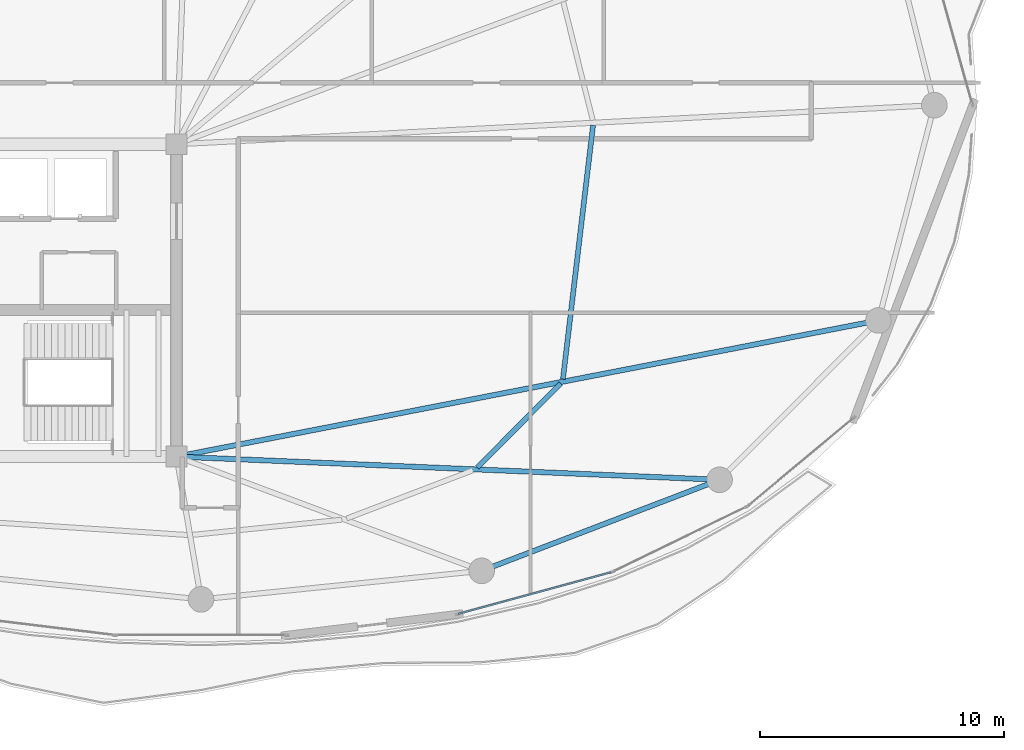
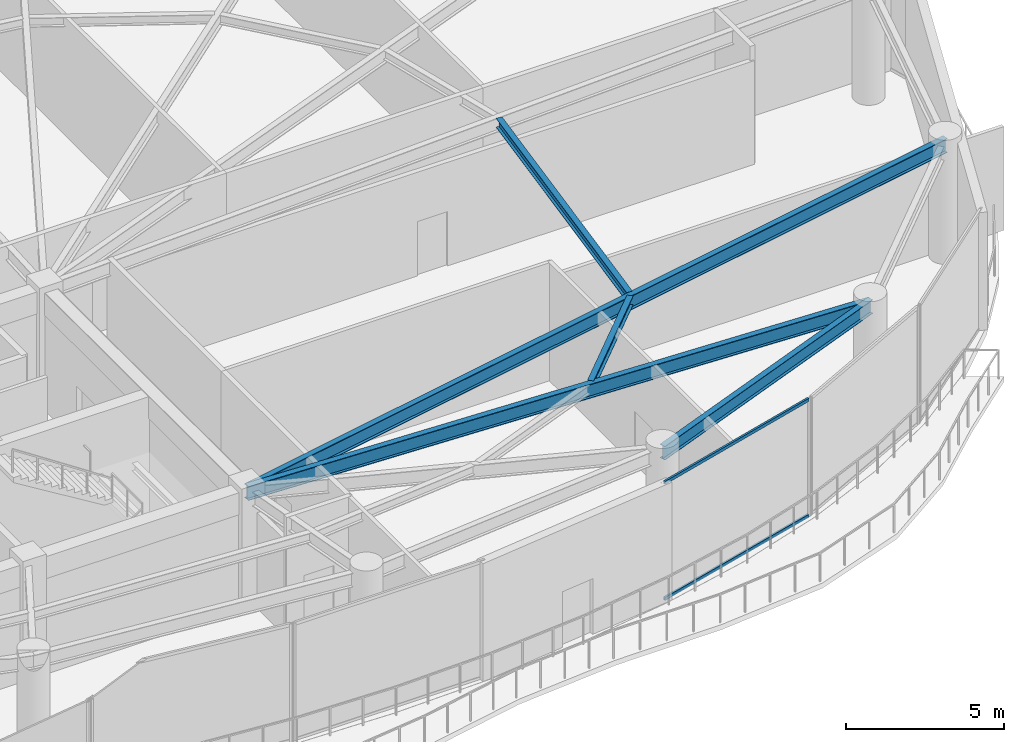
# One storey, part 11 of 28: 5 beams, 2 members, 1 element without a shape of its own.
"""IFC4 building model written with IfcOpenShell, lengths in metres."""

from ifc_helpers import new_model, si_unit, direction, frame, origin, origin_2d, place, context, subcontext, project, spatial, hollow_rectangle, i_section, extrude, material, layer, layer_set, material_profile, profile_set, type_object, element, aggregate, save


model = new_model("IFC4")

# Units and contexts
model_context = context("Model", 3, precision=1e-05, world=origin(), true_north=direction((0.0, 1.0)))
body_context = subcontext(model_context, "Body", "Model", "MODEL_VIEW")
ifc_project = project(units=[si_unit("LENGTHUNIT", "METRE"), si_unit("AREAUNIT", "SQUARE_METRE"), si_unit("VOLUMEUNIT", "CUBIC_METRE"), si_unit("PLANEANGLEUNIT", "RADIAN"), si_unit("MASSUNIT", "GRAM", prefix="KILO")], contexts=[model_context])

# Site, building, storey
site_placement = place(None, origin())
site = spatial("IfcSite", under=ifc_project, at=site_placement, CompositionType="ELEMENT")
building_placement = place(site_placement, origin())
building = spatial("IfcBuilding", under=site, at=building_placement, Name="Kazevale Care Tower and Concert Hall", CompositionType="ELEMENT")
storey_placement = place(building_placement, frame((0.0, 0.0, 190.800048828125)))
storey = spatial("IfcBuildingStorey", under=building, at=storey_placement, Name="L50", CompositionType="ELEMENT", Elevation=190.800048828125)

# Curtain wall, members
ifc_material_1 = material(Name="Aluminium 6063-T6 and Low-E Glass", Category="aluminium")
ifc_layer = layer(ifc_material_1, 0.179931640625)
ifc_layer_set = layer_set([ifc_layer], Name="Aluminium 6063-T6 and Low-E Glass")
curtain_wall_type = type_object("IfcCurtainWallType", Name="Sheltered Concave Balcony Curtain Wall CW-5", PredefinedType="NOTDEFINED", material=ifc_layer_set)
curtain_wall_placement = place(storey_placement, origin())
curtain_wall = element("IfcCurtainWall", 1, at=curtain_wall_placement, inside=storey, type_object=curtain_wall_type, Name="cw:L50:f04", PredefinedType="NOTDEFINED")
ifc_material_2 = material(Name="Aluminium 6063-T6", Category="aluminium")
ifc_material_profile_1 = material_profile(ifc_material_2, hollow_rectangle(XDim=0.074951171875, YDim=0.1201171875, WallThickness=0.00390625, at=origin_2d()), Name="ALU75x120x4")
ifc_profile_set_1 = profile_set([ifc_material_profile_1], Name="Aluminium 6063-T6")
member_type = type_object("IfcMemberType", Name="CW-5 Transom ALU75x120x4", PredefinedType="USERDEFINED", material=ifc_profile_set_1)
member_1_placement = place(storey_placement, frame((61.78369140625, 18.853271484375, 0.037353515625), z_axis=(-0.964843890632, -0.262823641842, 0.0), x_axis=(0.262823641842, -0.964843890632, 0.0)))
member_1 = element("IfcMember", 2, at=member_1_placement, type_object=member_type, Name="CW-5 transom 1.1", ObjectType="TRANSOM", PredefinedType="USERDEFINED", context=body_context, shape_type="SweptSolid", body=[
    extrude(hollow_rectangle(XDim=0.074951171875, YDim=0.1201171875, WallThickness=0.00390625, at=origin_2d()), origin(), (0.0, 0.0, 1.0), 6.469970703125),
])
member_2_placement = place(storey_placement, frame((61.78369140625, 18.853271484375, 4.5224609375), z_axis=(-0.964843890632, -0.262823641842, 0.0), x_axis=(0.262823641842, -0.964843890632, 0.0)))
member_2 = element("IfcMember", 3, at=member_2_placement, type_object=member_type, Name="CW-5 transom 1.2", ObjectType="TRANSOM", PredefinedType="USERDEFINED", context=body_context, shape_type="SweptSolid", body=[
    extrude(hollow_rectangle(XDim=0.074951171875, YDim=0.1201171875, WallThickness=0.00390625, at=origin_2d()), origin(), (0.0, 0.0, 1.0), 6.469970703125),
])
aggregate(curtain_wall, [member_1, member_2])

# Beams
ifc_material_3 = material(Name="Steel ASTM A572 Gr 50", Category="steel")
ifc_material_profile_2 = material_profile(ifc_material_3, i_section(OverallWidth=0.2119140625, OverallDepth=0.5439453125, WebThickness=0.01318359375, FlangeThickness=0.021240234375, at=origin_2d()), Name="W530x123")
ifc_profile_set_2 = profile_set([ifc_material_profile_2], Name="Steel ASTM A572 Gr 50")
beam_type_1 = type_object("IfcBeamType", Name="Radial Floor Girder W530x123", PredefinedType="BEAM", material=ifc_profile_set_2)
beam_1_placement = place(storey_placement, frame((44.0, 23.60009765625, 4.287841796875), z_axis=(0.999089369477, -0.042666518456, 0.0), x_axis=(0.042666518456, 0.999089369477, 0.0)))
element("IfcBeam", 4, at=beam_1_placement, inside=storey, type_object=beam_type_1, Name="beam:L50:rad:15", PredefinedType="BEAM", context=body_context, shape_type="SweptSolid", body=[
    extrude(i_section(OverallWidth=0.2119140625, OverallDepth=0.5439453125, WebThickness=0.01318359375, FlangeThickness=0.021240234375, at=origin_2d()), origin(), (0.0, 0.0, 1.0), 22.270263671875),
])
beam_2_placement = place(storey_placement, frame((44.0, 23.60009765625, 4.287841796875), z_axis=(0.981694544574, 0.190462125247, 0.0), x_axis=(-0.190462125247, 0.981694544574, 0.0)))
element("IfcBeam", 5, at=beam_2_placement, inside=storey, type_object=beam_type_1, Name="beam:L50:rad:16", PredefinedType="BEAM", context=body_context, shape_type="SweptSolid", body=[
    extrude(i_section(OverallWidth=0.2119140625, OverallDepth=0.5439453125, WebThickness=0.01318359375, FlangeThickness=0.021240234375, at=origin_2d()), origin(), (0.0, 0.0, 1.0), 29.29638671875),
])
ifc_material_profile_3 = material_profile(ifc_material_3, i_section(OverallWidth=0.205078125, OverallDepth=0.35400390625, WebThickness=0.009521484375, FlangeThickness=0.016845703125, at=origin_2d()), Name="W360x79")
ifc_profile_set_3 = profile_set([ifc_material_profile_3], Name="Steel ASTM A572 Gr 50")
beam_type_2 = type_object("IfcBeamType", Name="Secondary Floor Joist W360x79", PredefinedType="JOIST", material=ifc_profile_set_3)
beam_3_placement = place(storey_placement, frame((56.31201171875, 23.152099609375, 4.383056640625), z_axis=(0.705975874919, 0.708235881633, 0.0), x_axis=(-0.708235881633, 0.705975874919, 0.0)))
element("IfcBeam", 6, at=beam_3_placement, inside=storey, type_object=beam_type_2, Name="beam:L50:joist:15", PredefinedType="JOIST", context=body_context, shape_type="SweptSolid", body=[
    extrude(i_section(OverallWidth=0.205078125, OverallDepth=0.35400390625, WebThickness=0.009521484375, FlangeThickness=0.016845703125, at=origin_2d()), origin(), (0.0, 0.0, 1.0), 4.861083984375),
])
beam_4_placement = place(storey_placement, frame((59.830078125, 26.77294921875, 4.383056640625), z_axis=(0.117874218468, 0.993028533639, 0.0), x_axis=(-0.993028533639, 0.117874218468, 0.0)))
element("IfcBeam", 7, at=beam_4_placement, inside=storey, type_object=beam_type_2, Name="beam:L50:joist:16", PredefinedType="JOIST", context=body_context, shape_type="SweptSolid", body=[
    extrude(i_section(OverallWidth=0.205078125, OverallDepth=0.35400390625, WebThickness=0.009521484375, FlangeThickness=0.016845703125, at=origin_2d()), origin(), (0.0, 0.0, 1.0), 10.47607421875),
])
ifc_material_profile_4 = material_profile(ifc_material_3, i_section(OverallWidth=0.208984375, OverallDepth=0.532958984375, WebThickness=0.01025390625, FlangeThickness=0.015625, at=origin_2d()), Name="W530x92")
ifc_profile_set_4 = profile_set([ifc_material_profile_4], Name="Steel ASTM A572 Gr 50")
beam_type_3 = type_object("IfcBeamType", Name="Upper Ring Beam W530x92", PredefinedType="BEAM", material=ifc_profile_set_4)
beam_5_placement = place(storey_placement, frame((56.5, 18.919921875, 4.29345703125), z_axis=(0.933986653173, 0.357307894811, 0.0), x_axis=(-0.357307894811, 0.933986653173, 0.0)))
element("IfcBeam", 8, at=beam_5_placement, inside=storey, type_object=beam_type_3, Name="beam:L50:ring:14", PredefinedType="BEAM", context=body_context, shape_type="SweptSolid", body=[
    extrude(i_section(OverallWidth=0.208984375, OverallDepth=0.532958984375, WebThickness=0.01025390625, FlangeThickness=0.015625, at=origin_2d()), origin(), (0.0, 0.0, 1.0), 10.439208984375),
])

save(model, "model.ifc")
